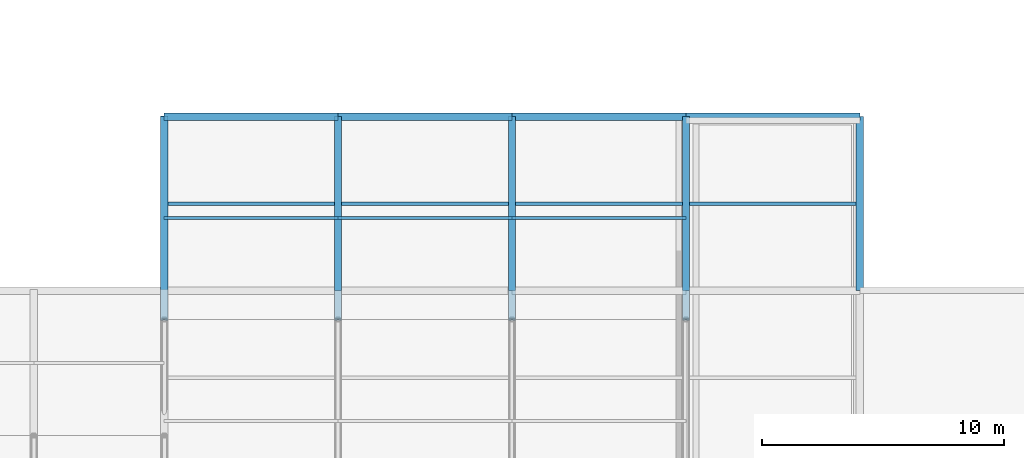
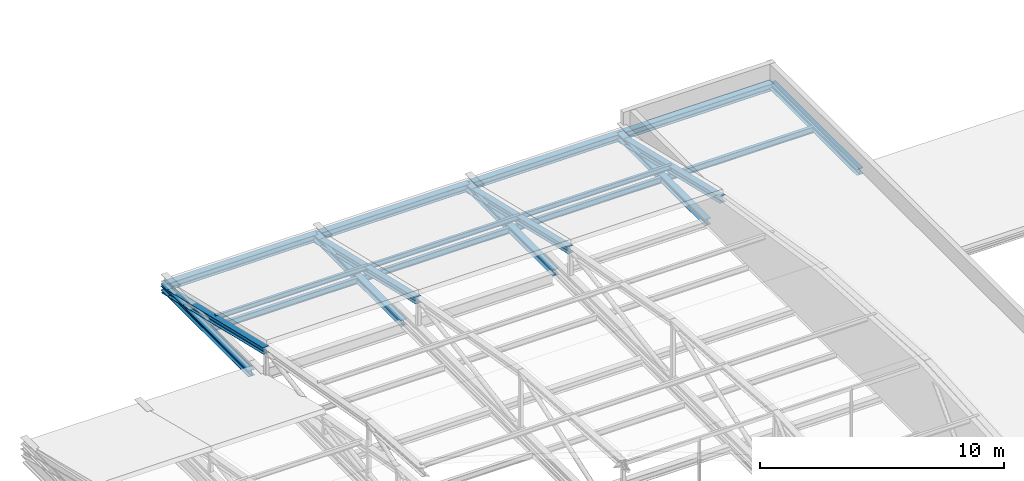
# One storey, part 41 of 76: 16 beams, 4 members.
"""IFC4 building model written with IfcOpenShell, lengths in metres."""

from ifc_helpers import new_model, si_unit, direction, frame, origin, origin_2d, place, context, subcontext, project, spatial, i_section, extrude, material, material_profile, profile_set, type_object, element, save


model = new_model("IFC4")

# Units and contexts
model_context = context("Model", 3, precision=1e-05, world=origin(), true_north=direction((0.0, 1.0)))
body_context = subcontext(model_context, "Body", "Model", "MODEL_VIEW")
ifc_project = project(units=[si_unit("LENGTHUNIT", "METRE"), si_unit("AREAUNIT", "SQUARE_METRE"), si_unit("VOLUMEUNIT", "CUBIC_METRE"), si_unit("PLANEANGLEUNIT", "RADIAN"), si_unit("MASSUNIT", "GRAM", prefix="KILO")], contexts=[model_context])

# Site, building, storey
site_placement = place(None, origin())
site = spatial("IfcSite", under=ifc_project, at=site_placement, CompositionType="ELEMENT")
building_placement = place(site_placement, origin())
building = spatial("IfcBuilding", under=site, at=building_placement, Name="Zlatovets Crest Museum", CompositionType="ELEMENT")
storey_placement = place(building_placement, frame((0.0, 0.0, 17.10009765625)))
storey = spatial("IfcBuildingStorey", under=building, at=storey_placement, Name="L04", CompositionType="ELEMENT", Elevation=17.10009765625)

# Beams
ifc_material = material(Name="Structural steel S355J2", Category="steel")
ifc_material_profile_1 = material_profile(ifc_material, i_section(OverallWidth=0.300048828125, OverallDepth=0.35009765625, WebThickness=0.010009765625, FlangeThickness=0.017578125, FilletRadius=0.027099609375, at=origin_2d()), Name="HEA 360")
ifc_profile_set_1 = profile_set([ifc_material_profile_1], Name="Structural steel S355J2")
beam_type_1 = type_object("IfcBeamType", Name="Beam_B-03", PredefinedType="BEAM", material=ifc_profile_set_1)
beam_1_placement = place(storey_placement, frame((7.199951171875, 100.800048828125, -0.39501953125), z_axis=(1.0, 0.0, 0.0), x_axis=(0.0, 1.0, 0.0)))
element("IfcBeam", 1, at=beam_1_placement, inside=storey, type_object=beam_type_1, Name="V4 L04 Primary Girder B-03", PredefinedType="BEAM", context=body_context, shape_type="SweptSolid", body=[
    extrude(i_section(OverallWidth=0.300048828125, OverallDepth=0.35009765625, WebThickness=0.010009765625, FlangeThickness=0.017578125, FilletRadius=0.027099609375, at=origin_2d()), origin(), (0.0, 0.0, 1.0), 7.199951171875),
])
beam_2_placement = place(storey_placement, frame((14.39990234375, 100.800048828125, -0.39501953125), z_axis=(1.0, 0.0, 0.0), x_axis=(0.0, 1.0, 0.0)))
element("IfcBeam", 2, at=beam_2_placement, inside=storey, type_object=beam_type_1, Name="V4 L04 Primary Girder B-03", PredefinedType="BEAM", context=body_context, shape_type="SweptSolid", body=[
    extrude(i_section(OverallWidth=0.300048828125, OverallDepth=0.35009765625, WebThickness=0.010009765625, FlangeThickness=0.017578125, FilletRadius=0.027099609375, at=origin_2d()), origin(), (0.0, 0.0, 1.0), 7.2001953125),
])
for number, where, z_axis, x_axis, name in (
    (3, (21.60009765625, 100.800048828125, -0.39501953125), (1.0, 0.0, 0.0), (0.0, 1.0, 0.0), "V4 L04 Primary Girder B-03"),
    (4, (28.800048828125, 100.800048828125, -0.39501953125), (1.0, 0.0, 0.0), (0.0, 1.0, 0.0), "V4 L04 Primary Girder B-03"),
):
    element("IfcBeam", number, at=place(storey_placement, frame(where, z_axis=z_axis, x_axis=x_axis)), inside=storey, type_object=beam_type_1, Name=name, PredefinedType="BEAM", context=body_context, shape_type="SweptSolid", body=[
        extrude(i_section(OverallWidth=0.300048828125, OverallDepth=0.35009765625, WebThickness=0.010009765625, FlangeThickness=0.017578125, FilletRadius=0.027099609375, at=origin_2d()), origin(), (0.0, 0.0, 1.0), 7.199951171875),
    ])
ifc_material_profile_2 = material_profile(ifc_material, i_section(OverallWidth=0.300048828125, OverallDepth=0.31005859375, WebThickness=0.009033203125, FlangeThickness=0.015380859375, FilletRadius=0.027099609375, at=origin_2d()), Name="HEA 320")
ifc_profile_set_2 = profile_set([ifc_material_profile_2], Name="Structural steel S355J2")
beam_type_2 = type_object("IfcBeamType", Name="Beam_B-04", PredefinedType="BEAM", material=ifc_profile_set_2)
for number, where, z_axis, x_axis, name in (
    (5, (7.199951171875, 93.60009765625, -0.375), (0.0, 1.0, 0.0), (-1.0, 0.0, 0.0), "V4 L04 Grid Beam B-04"),
    (6, (14.39990234375, 93.60009765625, -0.375), (0.0, 1.0, 0.0), (-1.0, 0.0, 0.0), "V4 L04 Grid Beam B-04"),
    (7, (21.60009765625, 93.60009765625, -0.375), (0.0, 1.0, 0.0), (-1.0, 0.0, 0.0), "V4 L04 Grid Beam B-04"),
    (8, (28.800048828125, 93.60009765625, -0.375), (0.0, 1.0, 0.0), (-1.0, 0.0, 0.0), "V4 L04 Grid Beam B-04"),
    (9, (36.0, 93.60009765625, -0.375), (0.0, 1.0, 0.0), (-1.0, 0.0, 0.0), "V4 L04 Grid Beam B-04"),
):
    element("IfcBeam", number, at=place(storey_placement, frame(where, z_axis=z_axis, x_axis=x_axis)), inside=storey, type_object=beam_type_2, Name=name, PredefinedType="BEAM", context=body_context, shape_type="SweptSolid", body=[
        extrude(i_section(OverallWidth=0.300048828125, OverallDepth=0.31005859375, WebThickness=0.009033203125, FlangeThickness=0.015380859375, FilletRadius=0.027099609375, at=origin_2d()), origin(), (0.0, 0.0, 1.0), 7.199951171875),
    ])
ifc_material_profile_3 = material_profile(ifc_material, i_section(OverallWidth=0.14990234375, OverallDepth=0.300048828125, WebThickness=0.007080078125, FlangeThickness=0.0107421875, FilletRadius=0.014892578125, at=origin_2d()), Name="IPE 300")
ifc_profile_set_3 = profile_set([ifc_material_profile_3], Name="Structural steel S355J2")
beam_type_3 = type_object("IfcBeamType", Name="Beam_J-02", PredefinedType="JOIST", material=ifc_profile_set_3)
for number, where, z_axis, x_axis, name in (
    (10, (7.35009765625, 97.199951171875, -0.3701171875), (1.0, 0.0, 0.0), (0.0, 1.0, 0.0), "V4 L04 Composite Joist J-02"),
    (11, (14.550048828125, 97.199951171875, -0.3701171875), (1.0, 0.0, 0.0), (0.0, 1.0, 0.0), "V4 L04 Composite Joist J-02"),
    (12, (21.75, 97.199951171875, -0.3701171875), (1.0, 0.0, 0.0), (0.0, 1.0, 0.0), "V4 L04 Composite Joist J-02"),
):
    element("IfcBeam", number, at=place(storey_placement, frame(where, z_axis=z_axis, x_axis=x_axis)), inside=storey, type_object=beam_type_3, Name=name, PredefinedType="JOIST", context=body_context, shape_type="SweptSolid", body=[
        extrude(i_section(OverallWidth=0.14990234375, OverallDepth=0.300048828125, WebThickness=0.007080078125, FlangeThickness=0.0107421875, FilletRadius=0.014892578125, at=origin_2d()), origin(), (0.0, 0.0, 1.0), 6.89990234375),
    ])
beam_3_placement = place(storey_placement, frame((28.949951171875, 97.199951171875, -0.3701171875), z_axis=(1.0, 0.0, 0.0), x_axis=(0.0, 1.0, 0.0)))
element("IfcBeam", 13, at=beam_3_placement, inside=storey, type_object=beam_type_3, Name="V4 L04 Composite Joist J-02", PredefinedType="JOIST", context=body_context, shape_type="SweptSolid", body=[
    extrude(i_section(OverallWidth=0.14990234375, OverallDepth=0.300048828125, WebThickness=0.007080078125, FlangeThickness=0.0107421875, FilletRadius=0.014892578125, at=origin_2d()), origin(), (0.0, 0.0, 1.0), 6.900146484375),
])
ifc_material_profile_4 = material_profile(ifc_material, i_section(OverallWidth=0.1201171875, OverallDepth=0.239990234375, WebThickness=0.006103515625, FlangeThickness=0.009765625, FilletRadius=0.014892578125, at=origin_2d()), Name="IPE 240")
ifc_profile_set_4 = profile_set([ifc_material_profile_4], Name="Structural steel S355J2")
beam_type_4 = type_object("IfcBeamType", Name="Beam_PR-01", PredefinedType="BEAM", material=ifc_profile_set_4)
beam_4_placement = place(storey_placement, frame((7.199951171875, 96.60009765625, 0.599853515625), z_axis=(1.0, 0.0, 0.0), x_axis=(0.0, 1.0, 0.0)))
element("IfcBeam", 14, at=beam_4_placement, inside=storey, type_object=beam_type_4, Name="V4 Barrel Vault Longitudinal Purlin", PredefinedType="BEAM", context=body_context, shape_type="SweptSolid", body=[
    extrude(i_section(OverallWidth=0.1201171875, OverallDepth=0.239990234375, WebThickness=0.006103515625, FlangeThickness=0.009765625, FilletRadius=0.014892578125, at=origin_2d()), origin(), (0.0, 0.0, 1.0), 7.199951171875),
])
beam_5_placement = place(storey_placement, frame((14.39990234375, 96.60009765625, 0.599853515625), z_axis=(1.0, 0.0, 0.0), x_axis=(0.0, 1.0, 0.0)))
element("IfcBeam", 15, at=beam_5_placement, inside=storey, type_object=beam_type_4, Name="V4 Barrel Vault Longitudinal Purlin", PredefinedType="BEAM", context=body_context, shape_type="SweptSolid", body=[
    extrude(i_section(OverallWidth=0.1201171875, OverallDepth=0.239990234375, WebThickness=0.006103515625, FlangeThickness=0.009765625, FilletRadius=0.014892578125, at=origin_2d()), origin(), (0.0, 0.0, 1.0), 7.2001953125),
])
beam_6_placement = place(storey_placement, frame((21.60009765625, 96.60009765625, 0.599853515625), z_axis=(1.0, 0.0, 0.0), x_axis=(0.0, 1.0, 0.0)))
element("IfcBeam", 16, at=beam_6_placement, inside=storey, type_object=beam_type_4, Name="V4 Barrel Vault Longitudinal Purlin", PredefinedType="BEAM", context=body_context, shape_type="SweptSolid", body=[
    extrude(i_section(OverallWidth=0.1201171875, OverallDepth=0.239990234375, WebThickness=0.006103515625, FlangeThickness=0.009765625, FilletRadius=0.014892578125, at=origin_2d()), origin(), (0.0, 0.0, 1.0), 7.199951171875),
])

# Members
ifc_material_profile_5 = material_profile(ifc_material, i_section(OverallWidth=0.300048828125, OverallDepth=0.31005859375, WebThickness=0.009033203125, FlangeThickness=0.015380859375, FilletRadius=0.027099609375, at=origin_2d()), Name="HEA 320")
ifc_profile_set_5 = profile_set([ifc_material_profile_5], Name="Structural steel S355J2")
member_type = type_object("IfcMemberType", Name="Member_TM-02", PredefinedType="RAFTER", material=ifc_profile_set_5)
for number, where, z_axis, x_axis, name in (
    (17, (7.199951171875, 92.39990234375, 1.5), (0.0, 0.97280712477, -0.231616704918), (-1.0, 0.0, 0.0), "V4 Art Nouveau Curved Vault Rib"),
    (18, (14.39990234375, 92.39990234375, 1.5), (0.0, 0.97280712477, -0.231616704918), (-1.0, 0.0, 0.0), "V4 Art Nouveau Curved Vault Rib"),
    (19, (21.60009765625, 92.39990234375, 1.5), (0.0, 0.97280712477, -0.231616704918), (-1.0, 0.0, 0.0), "V4 Art Nouveau Curved Vault Rib"),
    (20, (28.800048828125, 92.39990234375, 1.5), (0.0, 0.97280712477, -0.231616704918), (-1.0, 0.0, 0.0), "V4 Art Nouveau Curved Vault Rib"),
):
    element("IfcMember", number, at=place(storey_placement, frame(where, z_axis=z_axis, x_axis=x_axis)), inside=storey, type_object=member_type, Name=name, PredefinedType="RAFTER", context=body_context, shape_type="SweptSolid", body=[
        extrude(i_section(OverallWidth=0.300048828125, OverallDepth=0.31005859375, WebThickness=0.009033203125, FlangeThickness=0.015380859375, FilletRadius=0.027099609375, at=origin_2d()), origin(), (0.0, 0.0, 1.0), 8.635009765625),
    ])

save(model, "model.ifc")
